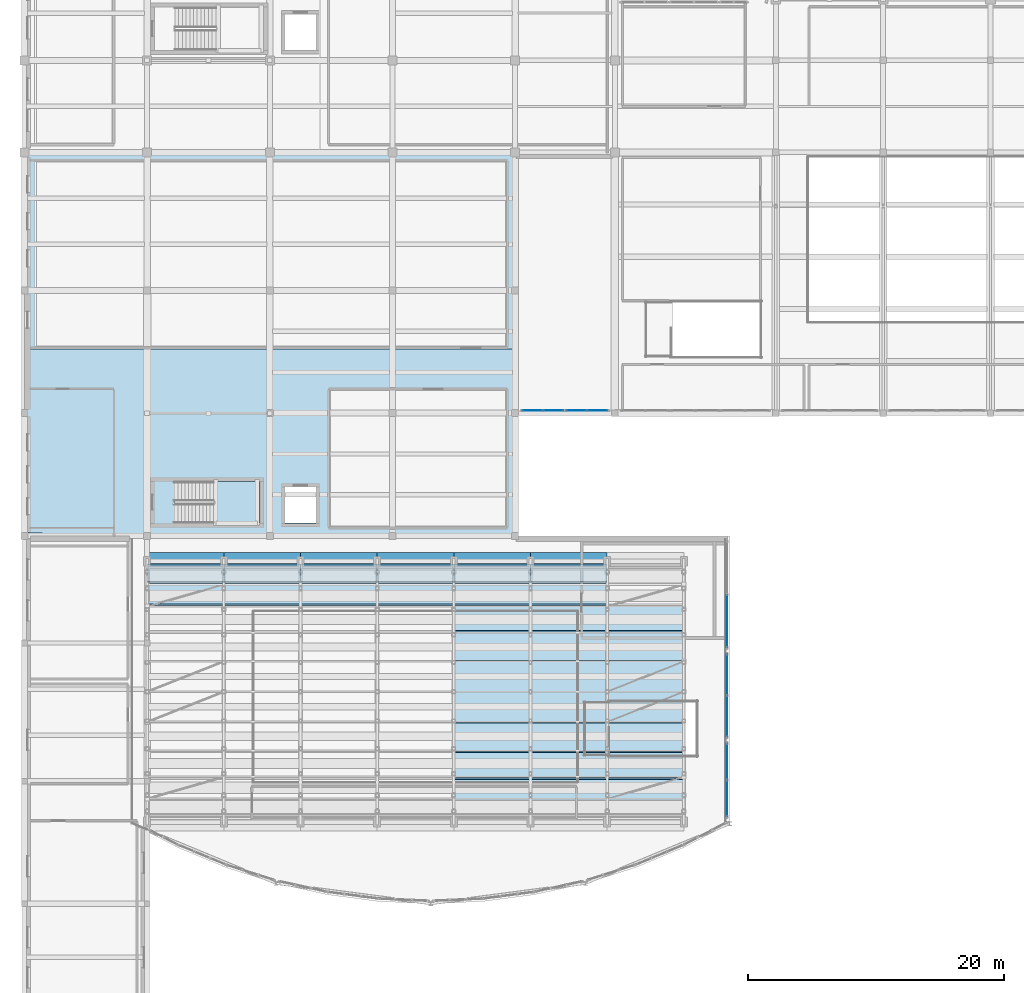
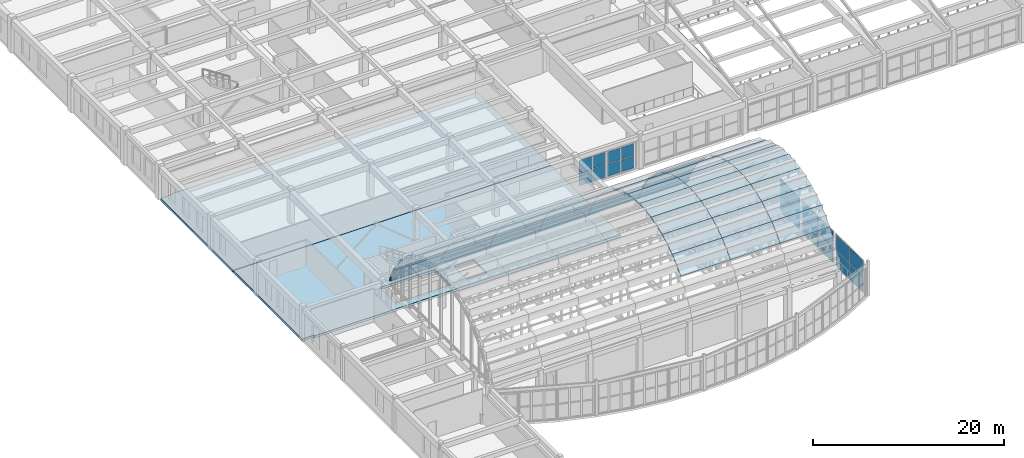
# One storey, part 58 of 91: 57 plates, 3 slabs, 6 elements without a shape of their own.
"""IFC4 building model written with IfcOpenShell, lengths in metres."""

from ifc_helpers import new_model, si_unit, direction, frame, origin, origin_2d, place, context, subcontext, project, spatial, polyline, rectangle, outline, extrude, material, layer, layer_set, type_object, element, aggregate, save


model = new_model("IFC4")

# Units and contexts
model_context = context("Model", 3, precision=1e-05, world=origin(), true_north=direction((0.0, 1.0)))
body_context = subcontext(model_context, "Body", "Model", "MODEL_VIEW")
ifc_project = project(units=[si_unit("LENGTHUNIT", "METRE"), si_unit("AREAUNIT", "SQUARE_METRE"), si_unit("VOLUMEUNIT", "CUBIC_METRE"), si_unit("PLANEANGLEUNIT", "RADIAN"), si_unit("MASSUNIT", "GRAM", prefix="KILO")], contexts=[model_context])

# Site, building, storey
site_placement = place(None, origin())
site = spatial("IfcSite", under=ifc_project, at=site_placement, CompositionType="ELEMENT")
building_placement = place(site_placement, origin())
building = spatial("IfcBuilding", under=site, at=building_placement, Name="Tarnavel Promenade Courthouse", CompositionType="ELEMENT")
storey_placement = place(building_placement, frame((0.0, 0.0, 9.89990234375)))
storey = spatial("IfcBuildingStorey", under=building, at=storey_placement, Name="L03", CompositionType="ELEMENT", Elevation=9.89990234375)

# Stair, slab
ifc_material_1 = material(Name="Concrete C35/45", Category="concrete")
stair_type = type_object("IfcStairType", Name="Concrete C35/45 Half-Turn Stair STR-14 (1520W-280G-24R)", PredefinedType="HALF_TURN_STAIR", material=ifc_material_1)
stair_placement = place(storey_placement, origin())
stair = element("IfcStair", 1, at=stair_placement, inside=storey, type_object=stair_type, Name="L03 Law Library Exit Stair", PredefinedType="HALF_TURN_STAIR")
ifc_layer_1 = layer(ifc_material_1, 0.205078125)
ifc_layer_set_1 = layer_set([ifc_layer_1], Name="Concrete C35/45")
slab_type_1 = type_object("IfcSlabType", Name="Concrete C35/45 Stair Landing SLB-LND-205 (205 mm)", PredefinedType="LANDING", material=ifc_layer_set_1)
slab_1_placement = place(storey_placement, frame((0.0, 0.0, 2.050048828125)))
slab_1 = element("IfcSlab", 2, at=slab_1_placement, type_object=slab_type_1, Name="ST-05 landing 1", PredefinedType="LANDING", context=body_context, shape_type="SweptSolid", body=[
    extrude(outline(polyline([(14.800048828125, 38.199951171875), (18.39990234375, 38.199951171875), (18.39990234375, 41.43994140625), (14.800048828125, 41.43994140625), (14.800048828125, 38.199951171875)])), origin(), (0.0, 0.0, 1.0), 0.199951171875),
])
aggregate(stair, [slab_1])

# Slabs
ifc_material_2 = material(Name="Concrete C40/50", Category="concrete")
ifc_layer_2 = layer(ifc_material_2, 0.300048828125)
ifc_layer_set_2 = layer_set([ifc_layer_2], Name="Concrete C40/50")
slab_type_2 = type_object("IfcSlabType", Name="Concrete C40/50 SLB-STK-300 (300 mm)", PredefinedType="FLOOR", material=ifc_layer_set_2)
slab_2_placement = place(storey_placement, frame((0.0, 0.0, -0.2998046875)))
element("IfcSlab", 3, at=slab_2_placement, inside=storey, type_object=slab_type_2, Name="L03 Law Library S Heavy Stack Slab", PredefinedType="FLOOR", context=body_context, shape_type="SweptSolid", body=[
    extrude(outline(polyline([(0.0, 37.39990234375), (1.39990234375, 37.39990234375), (1.39990234375, 37.239990234375), (38.3798828125, 37.239990234375), (38.3798828125, 51.800048828125), (0.0, 51.800048828125), (0.0, 37.39990234375)]), holes=[polyline([(11.764892578125, 38.199951171875), (18.39990234375, 38.199951171875), (18.39990234375, 41.43994140625), (11.764892578125, 41.43994140625), (11.764892578125, 38.199951171875)]), polyline([(20.39990234375, 38.199951171875), (22.800048828125, 38.199951171875), (22.800048828125, 41.0), (20.39990234375, 41.0), (20.39990234375, 38.199951171875)])]), origin(), (0.0, 0.0, 1.0), 0.2998046875),
])
slab_3_placement = place(storey_placement, frame((0.0, 0.0, -0.2998046875)))
element("IfcSlab", 4, at=slab_3_placement, inside=storey, type_object=slab_type_2, Name="L03 Law Library N Heavy Stack Slab", PredefinedType="FLOOR", context=body_context, shape_type="SweptSolid", body=[
    extrude(outline(polyline([(0.0, 51.840087890625), (38.3798828125, 51.840087890625), (38.3798828125, 67.179931640625), (1.39990234375, 67.179931640625), (1.39990234375, 67.02001953125), (0.0, 67.02001953125), (0.0, 51.840087890625)])), origin(), (0.0, 0.0, 1.0), 0.2998046875),
])

# Plates
ifc_material_3 = material(Name="Standing-Seam Copper Insulated Roof Assembly")
ifc_layer_3 = layer(ifc_material_3, 0.179931640625)
ifc_layer_set_3 = layer_set([ifc_layer_3], Name="Standing-Seam Copper Insulated Roof Assembly")
plate_type_1 = type_object("IfcPlateType", Name="Standing-Seam Copper Insulated Roof Assembly PLT-VLT-V4-CROWN (180 mm)", PredefinedType="SHEET", material=ifc_layer_set_3)
plate_1_placement = place(storey_placement, frame((33.60009765625, 18.131591796875, 10.72314453125), z_axis=(0.0, -0.519833470276, 0.85426761801), x_axis=(1.0, 0.0, 0.0)))
element("IfcPlate", 5, at=plate_1_placement, inside=storey, type_object=plate_type_1, Name="Barrel Vault Roof Panel V4 Bay 05 Facet 04", PredefinedType="SHEET", context=body_context, shape_type="SweptSolid", body=[
    extrude(outline(polyline([(0.0, 0.0), (6.0, 0.0), (6.0, 2.457217210970626), (0.0, 2.457217210970626), (0.0, 0.0)])), origin(), (0.0, 0.0, -1.0), 0.179931640625),
])
plate_2_placement = place(storey_placement, frame((33.60009765625, 20.230712890625, 12.00048828125), z_axis=(0.0, -0.322063013242, 0.946718234483), x_axis=(1.0, 0.0, 0.0)))
element("IfcPlate", 6, at=plate_2_placement, inside=storey, type_object=plate_type_1, Name="Barrel Vault Roof Panel V4 Bay 05 Facet 05", PredefinedType="SHEET", context=body_context, shape_type="SweptSolid", body=[
    extrude(outline(polyline([(0.0, 0.0), (6.0, 0.0), (6.0, 2.457605728405247), (0.0, 2.457605728405247), (0.0, 0.0)])), origin(), (0.0, 0.0, -1.0), 0.179931640625),
])
for number, where, z_axis, x_axis, name in (
    (7, (33.60009765625, 22.557373046875, 12.7919921875), (0.0, -0.10909015314, 0.994031859896), (1.0, 0.0, 0.0), "Barrel Vault Roof Panel V4 Bay 05 Facet 06"),
    (8, (33.60009765625, 25.0, 13.06005859375), (0.0, 0.10909015314, 0.994031859896), (1.0, 0.0, 0.0), "Barrel Vault Roof Panel V4 Bay 05 Facet 07"),
):
    element("IfcPlate", number, at=place(storey_placement, frame(where, z_axis=z_axis, x_axis=x_axis)), inside=storey, type_object=plate_type_1, Name=name, PredefinedType="SHEET", context=body_context, shape_type="SweptSolid", body=[
        extrude(outline(polyline([(0.0, 0.0), (6.0, 0.0), (6.0, 2.457292418555942), (0.0, 2.457292418555942), (0.0, 0.0)])), origin(), (0.0, 0.0, -1.0), 0.179931640625),
    ])
plate_3_placement = place(storey_placement, frame((33.60009765625, 27.442626953125, 12.7919921875), z_axis=(0.0, 0.322063013242, 0.946718234483), x_axis=(1.0, 0.0, 0.0)))
element("IfcPlate", 9, at=plate_3_placement, inside=storey, type_object=plate_type_1, Name="Barrel Vault Roof Panel V4 Bay 05 Facet 08", PredefinedType="SHEET", context=body_context, shape_type="SweptSolid", body=[
    extrude(outline(polyline([(0.0, 0.0), (6.0, 0.0), (6.0, 2.457605728405247), (0.0, 2.457605728405247), (0.0, 0.0)])), origin(), (0.0, 0.0, -1.0), 0.179931640625),
])
for number, where, z_axis, x_axis, name in (
    (10, (33.60009765625, 29.769287109375, 12.00048828125), (0.0, 0.519833470276, 0.85426761801), (1.0, 0.0, 0.0), "Barrel Vault Roof Panel V4 Bay 05 Facet 09"),
    (11, (39.60009765625, 18.131591796875, 10.72314453125), (0.0, -0.519833470276, 0.85426761801), (1.0, 0.0, 0.0), "Barrel Vault Roof Panel V4 Bay 06 Facet 04"),
):
    element("IfcPlate", number, at=place(storey_placement, frame(where, z_axis=z_axis, x_axis=x_axis)), inside=storey, type_object=plate_type_1, Name=name, PredefinedType="SHEET", context=body_context, shape_type="SweptSolid", body=[
        extrude(outline(polyline([(0.0, 0.0), (6.0, 0.0), (6.0, 2.457217210970626), (0.0, 2.457217210970626), (0.0, 0.0)])), origin(), (0.0, 0.0, -1.0), 0.179931640625),
    ])
plate_4_placement = place(storey_placement, frame((39.60009765625, 20.230712890625, 12.00048828125), z_axis=(0.0, -0.322063013242, 0.946718234483), x_axis=(1.0, 0.0, 0.0)))
element("IfcPlate", 12, at=plate_4_placement, inside=storey, type_object=plate_type_1, Name="Barrel Vault Roof Panel V4 Bay 06 Facet 05", PredefinedType="SHEET", context=body_context, shape_type="SweptSolid", body=[
    extrude(outline(polyline([(0.0, 0.0), (6.0, 0.0), (6.0, 2.457605728405247), (0.0, 2.457605728405247), (0.0, 0.0)])), origin(), (0.0, 0.0, -1.0), 0.179931640625),
])
for number, where, z_axis, x_axis, name in (
    (13, (39.60009765625, 22.557373046875, 12.7919921875), (0.0, -0.10909015314, 0.994031859896), (1.0, 0.0, 0.0), "Barrel Vault Roof Panel V4 Bay 06 Facet 06"),
    (14, (39.60009765625, 25.0, 13.06005859375), (0.0, 0.10909015314, 0.994031859896), (1.0, 0.0, 0.0), "Barrel Vault Roof Panel V4 Bay 06 Facet 07"),
):
    element("IfcPlate", number, at=place(storey_placement, frame(where, z_axis=z_axis, x_axis=x_axis)), inside=storey, type_object=plate_type_1, Name=name, PredefinedType="SHEET", context=body_context, shape_type="SweptSolid", body=[
        extrude(outline(polyline([(0.0, 0.0), (6.0, 0.0), (6.0, 2.457292418555942), (0.0, 2.457292418555942), (0.0, 0.0)])), origin(), (0.0, 0.0, -1.0), 0.179931640625),
    ])
plate_5_placement = place(storey_placement, frame((39.60009765625, 27.442626953125, 12.7919921875), z_axis=(0.0, 0.322063013242, 0.946718234483), x_axis=(1.0, 0.0, 0.0)))
element("IfcPlate", 15, at=plate_5_placement, inside=storey, type_object=plate_type_1, Name="Barrel Vault Roof Panel V4 Bay 06 Facet 08", PredefinedType="SHEET", context=body_context, shape_type="SweptSolid", body=[
    extrude(outline(polyline([(0.0, 0.0), (6.0, 0.0), (6.0, 2.457605728405247), (0.0, 2.457605728405247), (0.0, 0.0)])), origin(), (0.0, 0.0, -1.0), 0.179931640625),
])
for number, where, z_axis, x_axis, name in (
    (16, (39.60009765625, 29.769287109375, 12.00048828125), (0.0, 0.519833470276, 0.85426761801), (1.0, 0.0, 0.0), "Barrel Vault Roof Panel V4 Bay 06 Facet 09"),
    (17, (45.60009765625, 18.131591796875, 10.72314453125), (0.0, -0.519833470276, 0.85426761801), (1.0, 0.0, 0.0), "Barrel Vault Roof Panel V4 Bay 07 Facet 04"),
):
    element("IfcPlate", number, at=place(storey_placement, frame(where, z_axis=z_axis, x_axis=x_axis)), inside=storey, type_object=plate_type_1, Name=name, PredefinedType="SHEET", context=body_context, shape_type="SweptSolid", body=[
        extrude(outline(polyline([(0.0, 0.0), (6.0, 0.0), (6.0, 2.457217210970626), (0.0, 2.457217210970626), (0.0, 0.0)])), origin(), (0.0, 0.0, -1.0), 0.179931640625),
    ])
plate_6_placement = place(storey_placement, frame((45.60009765625, 20.230712890625, 12.00048828125), z_axis=(0.0, -0.322063013242, 0.946718234483), x_axis=(1.0, 0.0, 0.0)))
element("IfcPlate", 18, at=plate_6_placement, inside=storey, type_object=plate_type_1, Name="Barrel Vault Roof Panel V4 Bay 07 Facet 05", PredefinedType="SHEET", context=body_context, shape_type="SweptSolid", body=[
    extrude(outline(polyline([(0.0, 0.0), (6.0, 0.0), (6.0, 2.457605728405247), (0.0, 2.457605728405247), (0.0, 0.0)])), origin(), (0.0, 0.0, -1.0), 0.179931640625),
])
for number, where, z_axis, x_axis, name in (
    (19, (45.60009765625, 22.557373046875, 12.7919921875), (0.0, -0.10909015314, 0.994031859896), (1.0, 0.0, 0.0), "Barrel Vault Roof Panel V4 Bay 07 Facet 06"),
    (20, (45.60009765625, 25.0, 13.06005859375), (0.0, 0.10909015314, 0.994031859896), (1.0, 0.0, 0.0), "Barrel Vault Roof Panel V4 Bay 07 Facet 07"),
):
    element("IfcPlate", number, at=place(storey_placement, frame(where, z_axis=z_axis, x_axis=x_axis)), inside=storey, type_object=plate_type_1, Name=name, PredefinedType="SHEET", context=body_context, shape_type="SweptSolid", body=[
        extrude(outline(polyline([(0.0, 0.0), (6.0, 0.0), (6.0, 2.457292418555942), (0.0, 2.457292418555942), (0.0, 0.0)])), origin(), (0.0, 0.0, -1.0), 0.179931640625),
    ])
plate_7_placement = place(storey_placement, frame((45.60009765625, 27.442626953125, 12.7919921875), z_axis=(0.0, 0.322063013242, 0.946718234483), x_axis=(1.0, 0.0, 0.0)))
element("IfcPlate", 21, at=plate_7_placement, inside=storey, type_object=plate_type_1, Name="Barrel Vault Roof Panel V4 Bay 07 Facet 08", PredefinedType="SHEET", context=body_context, shape_type="SweptSolid", body=[
    extrude(outline(polyline([(0.0, 0.0), (6.0, 0.0), (6.0, 2.457605728405247), (0.0, 2.457605728405247), (0.0, 0.0)])), origin(), (0.0, 0.0, -1.0), 0.179931640625),
])
plate_8_placement = place(storey_placement, frame((45.60009765625, 29.769287109375, 12.00048828125), z_axis=(0.0, 0.519833470276, 0.85426761801), x_axis=(1.0, 0.0, 0.0)))
element("IfcPlate", 22, at=plate_8_placement, inside=storey, type_object=plate_type_1, Name="Barrel Vault Roof Panel V4 Bay 07 Facet 09", PredefinedType="SHEET", context=body_context, shape_type="SweptSolid", body=[
    extrude(outline(polyline([(0.0, 0.0), (6.0, 0.0), (6.0, 2.457217210970626), (0.0, 2.457217210970626), (0.0, 0.0)])), origin(), (0.0, 0.0, -1.0), 0.179931640625),
])
ifc_layer_4 = layer(ifc_material_3, 0.175048828125)
ifc_layer_set_4 = layer_set([ifc_layer_4], Name="Standing-Seam Copper Insulated Roof Assembly")
plate_type_2 = type_object("IfcPlateType", Name="Standing-Seam Copper Insulated Roof Assembly PLT-VLT-V4-LOW (175 mm)", PredefinedType="SHEET", material=ifc_layer_set_4)
plate_9_placement = place(storey_placement, frame((9.60009765625, 31.868408203125, 10.72314453125), z_axis=(0.0, 0.692707578218, 0.721218559855), x_axis=(1.0, 0.0, 0.0)))
element("IfcPlate", 23, at=plate_9_placement, inside=storey, type_object=plate_type_2, Name="Barrel Vault Roof Panel V4 Bay 01 Facet 10", PredefinedType="SHEET", context=body_context, shape_type="SweptSolid", body=[
    extrude(outline(polyline([(0.0, 0.0), (6.0, 0.0), (6.0, 2.4575919647123), (0.0, 2.4575919647123), (0.0, 0.0)])), origin(), (0.0, 0.0, -1.0), 0.175048828125),
])
plate_10_placement = place(storey_placement, frame((9.60009765625, 33.640869140625, 9.020751953125), z_axis=(0.0, 0.83266118003, 0.553782772639), x_axis=(1.0, 0.0, 0.0)))
element("IfcPlate", 24, at=plate_10_placement, inside=storey, type_object=plate_type_2, Name="Barrel Vault Roof Panel V4 Bay 01 Facet 11", PredefinedType="SHEET", context=body_context, shape_type="SweptSolid", body=[
    extrude(outline(polyline([(0.0, 0.0), (6.0, 0.0), (6.0, 2.457353155399839), (0.0, 2.457353155399839), (0.0, 0.0)])), origin(), (0.0, 0.0, -1.0), 0.175048828125),
])
plate_11_placement = place(storey_placement, frame((9.60009765625, 35.001708984375, 6.974609375), z_axis=(0.0, 0.906108548718, 0.423045267011), x_axis=(1.0, 0.0, 0.0)))
element("IfcPlate", 25, at=plate_11_placement, inside=storey, type_object=plate_type_2, Name="Barrel Vault Roof Panel V4 Bay 01 Facet 12", PredefinedType="SHEET", context=body_context, shape_type="SweptSolid", body=[
    extrude(outline(polyline([(0.0, 0.0), (6.0, 0.0), (6.0, 2.0908435889725268), (0.0, 2.0908435889725268), (0.0, 0.0)])), origin(), (0.0, 0.0, -1.0), 0.175048828125),
])
plate_12_placement = place(storey_placement, frame((15.60009765625, 31.868408203125, 10.72314453125), z_axis=(0.0, 0.692707578218, 0.721218559855), x_axis=(1.0, 0.0, 0.0)))
element("IfcPlate", 26, at=plate_12_placement, inside=storey, type_object=plate_type_2, Name="Barrel Vault Roof Panel V4 Bay 02 Facet 10", PredefinedType="SHEET", context=body_context, shape_type="SweptSolid", body=[
    extrude(outline(polyline([(0.0, 0.0), (6.0, 0.0), (6.0, 2.4575919647123), (0.0, 2.4575919647123), (0.0, 0.0)])), origin(), (0.0, 0.0, -1.0), 0.175048828125),
])
plate_13_placement = place(storey_placement, frame((15.60009765625, 33.640869140625, 9.020751953125), z_axis=(0.0, 0.83266118003, 0.553782772639), x_axis=(1.0, 0.0, 0.0)))
element("IfcPlate", 27, at=plate_13_placement, inside=storey, type_object=plate_type_2, Name="Barrel Vault Roof Panel V4 Bay 02 Facet 11", PredefinedType="SHEET", context=body_context, shape_type="SweptSolid", body=[
    extrude(outline(polyline([(0.0, 0.0), (6.0, 0.0), (6.0, 2.457353155399839), (0.0, 2.457353155399839), (0.0, 0.0)])), origin(), (0.0, 0.0, -1.0), 0.175048828125),
])
plate_14_placement = place(storey_placement, frame((15.60009765625, 35.001708984375, 6.974609375), z_axis=(0.0, 0.906108548718, 0.423045267011), x_axis=(1.0, 0.0, 0.0)))
element("IfcPlate", 28, at=plate_14_placement, inside=storey, type_object=plate_type_2, Name="Barrel Vault Roof Panel V4 Bay 02 Facet 12", PredefinedType="SHEET", context=body_context, shape_type="SweptSolid", body=[
    extrude(outline(polyline([(0.0, 0.0), (6.0, 0.0), (6.0, 2.0908435889725268), (0.0, 2.0908435889725268), (0.0, 0.0)])), origin(), (0.0, 0.0, -1.0), 0.175048828125),
])
plate_15_placement = place(storey_placement, frame((21.60009765625, 31.868408203125, 10.72314453125), z_axis=(0.0, 0.692707578218, 0.721218559855), x_axis=(1.0, 0.0, 0.0)))
element("IfcPlate", 29, at=plate_15_placement, inside=storey, type_object=plate_type_2, Name="Barrel Vault Roof Panel V4 Bay 03 Facet 10", PredefinedType="SHEET", context=body_context, shape_type="SweptSolid", body=[
    extrude(outline(polyline([(0.0, 0.0), (6.0, 0.0), (6.0, 2.4575919647123), (0.0, 2.4575919647123), (0.0, 0.0)])), origin(), (0.0, 0.0, -1.0), 0.175048828125),
])
plate_16_placement = place(storey_placement, frame((21.60009765625, 33.640869140625, 9.020751953125), z_axis=(0.0, 0.83266118003, 0.553782772639), x_axis=(1.0, 0.0, 0.0)))
element("IfcPlate", 30, at=plate_16_placement, inside=storey, type_object=plate_type_2, Name="Barrel Vault Roof Panel V4 Bay 03 Facet 11", PredefinedType="SHEET", context=body_context, shape_type="SweptSolid", body=[
    extrude(outline(polyline([(0.0, 0.0), (6.0, 0.0), (6.0, 2.457353155399839), (0.0, 2.457353155399839), (0.0, 0.0)])), origin(), (0.0, 0.0, -1.0), 0.175048828125),
])
plate_17_placement = place(storey_placement, frame((21.60009765625, 35.001708984375, 6.974609375), z_axis=(0.0, 0.906108548718, 0.423045267011), x_axis=(1.0, 0.0, 0.0)))
element("IfcPlate", 31, at=plate_17_placement, inside=storey, type_object=plate_type_2, Name="Barrel Vault Roof Panel V4 Bay 03 Facet 12", PredefinedType="SHEET", context=body_context, shape_type="SweptSolid", body=[
    extrude(outline(polyline([(0.0, 0.0), (6.0, 0.0), (6.0, 2.0908435889725268), (0.0, 2.0908435889725268), (0.0, 0.0)])), origin(), (0.0, 0.0, -1.0), 0.175048828125),
])
plate_18_placement = place(storey_placement, frame((27.60009765625, 31.868408203125, 10.72314453125), z_axis=(0.0, 0.692707578218, 0.721218559855), x_axis=(1.0, 0.0, 0.0)))
element("IfcPlate", 32, at=plate_18_placement, inside=storey, type_object=plate_type_2, Name="Barrel Vault Roof Panel V4 Bay 04 Facet 10", PredefinedType="SHEET", context=body_context, shape_type="SweptSolid", body=[
    extrude(outline(polyline([(0.0, 0.0), (6.0, 0.0), (6.0, 2.4575919647123), (0.0, 2.4575919647123), (0.0, 0.0)])), origin(), (0.0, 0.0, -1.0), 0.175048828125),
])
plate_19_placement = place(storey_placement, frame((27.60009765625, 33.640869140625, 9.020751953125), z_axis=(0.0, 0.83266118003, 0.553782772639), x_axis=(1.0, 0.0, 0.0)))
element("IfcPlate", 33, at=plate_19_placement, inside=storey, type_object=plate_type_2, Name="Barrel Vault Roof Panel V4 Bay 04 Facet 11", PredefinedType="SHEET", context=body_context, shape_type="SweptSolid", body=[
    extrude(outline(polyline([(0.0, 0.0), (6.0, 0.0), (6.0, 2.457353155399839), (0.0, 2.457353155399839), (0.0, 0.0)])), origin(), (0.0, 0.0, -1.0), 0.175048828125),
])
plate_20_placement = place(storey_placement, frame((27.60009765625, 35.001708984375, 6.974609375), z_axis=(0.0, 0.906108548718, 0.423045267011), x_axis=(1.0, 0.0, 0.0)))
element("IfcPlate", 34, at=plate_20_placement, inside=storey, type_object=plate_type_2, Name="Barrel Vault Roof Panel V4 Bay 04 Facet 12", PredefinedType="SHEET", context=body_context, shape_type="SweptSolid", body=[
    extrude(outline(polyline([(0.0, 0.0), (6.0, 0.0), (6.0, 2.0908435889725268), (0.0, 2.0908435889725268), (0.0, 0.0)])), origin(), (0.0, 0.0, -1.0), 0.175048828125),
])
for number, where, z_axis, x_axis, name in (
    (35, (33.60009765625, 16.359130859375, 9.020751953125), (0.0, -0.692707578218, 0.721218559855), (1.0, 0.0, 0.0), "Barrel Vault Roof Panel V4 Bay 05 Facet 03"),
    (36, (33.60009765625, 31.868408203125, 10.72314453125), (0.0, 0.692707578218, 0.721218559855), (1.0, 0.0, 0.0), "Barrel Vault Roof Panel V4 Bay 05 Facet 10"),
):
    element("IfcPlate", number, at=place(storey_placement, frame(where, z_axis=z_axis, x_axis=x_axis)), inside=storey, type_object=plate_type_2, Name=name, PredefinedType="SHEET", context=body_context, shape_type="SweptSolid", body=[
        extrude(outline(polyline([(0.0, 0.0), (6.0, 0.0), (6.0, 2.4575919647123), (0.0, 2.4575919647123), (0.0, 0.0)])), origin(), (0.0, 0.0, -1.0), 0.175048828125),
    ])
plate_21_placement = place(storey_placement, frame((33.60009765625, 33.640869140625, 9.020751953125), z_axis=(0.0, 0.83266118003, 0.553782772639), x_axis=(1.0, 0.0, 0.0)))
element("IfcPlate", 37, at=plate_21_placement, inside=storey, type_object=plate_type_2, Name="Barrel Vault Roof Panel V4 Bay 05 Facet 11", PredefinedType="SHEET", context=body_context, shape_type="SweptSolid", body=[
    extrude(outline(polyline([(0.0, 0.0), (6.0, 0.0), (6.0, 2.457353155399839), (0.0, 2.457353155399839), (0.0, 0.0)])), origin(), (0.0, 0.0, -1.0), 0.175048828125),
])
plate_22_placement = place(storey_placement, frame((33.60009765625, 35.001708984375, 6.974609375), z_axis=(0.0, 0.906108548718, 0.423045267011), x_axis=(1.0, 0.0, 0.0)))
element("IfcPlate", 38, at=plate_22_placement, inside=storey, type_object=plate_type_2, Name="Barrel Vault Roof Panel V4 Bay 05 Facet 12", PredefinedType="SHEET", context=body_context, shape_type="SweptSolid", body=[
    extrude(outline(polyline([(0.0, 0.0), (6.0, 0.0), (6.0, 2.0908435889725268), (0.0, 2.0908435889725268), (0.0, 0.0)])), origin(), (0.0, 0.0, -1.0), 0.175048828125),
])
for number, where, z_axis, x_axis, name in (
    (39, (39.60009765625, 16.359130859375, 9.020751953125), (0.0, -0.692707578218, 0.721218559855), (1.0, 0.0, 0.0), "Barrel Vault Roof Panel V4 Bay 06 Facet 03"),
    (40, (39.60009765625, 31.868408203125, 10.72314453125), (0.0, 0.692707578218, 0.721218559855), (1.0, 0.0, 0.0), "Barrel Vault Roof Panel V4 Bay 06 Facet 10"),
):
    element("IfcPlate", number, at=place(storey_placement, frame(where, z_axis=z_axis, x_axis=x_axis)), inside=storey, type_object=plate_type_2, Name=name, PredefinedType="SHEET", context=body_context, shape_type="SweptSolid", body=[
        extrude(outline(polyline([(0.0, 0.0), (6.0, 0.0), (6.0, 2.4575919647123), (0.0, 2.4575919647123), (0.0, 0.0)])), origin(), (0.0, 0.0, -1.0), 0.175048828125),
    ])
plate_23_placement = place(storey_placement, frame((39.60009765625, 33.640869140625, 9.020751953125), z_axis=(0.0, 0.83266118003, 0.553782772639), x_axis=(1.0, 0.0, 0.0)))
element("IfcPlate", 41, at=plate_23_placement, inside=storey, type_object=plate_type_2, Name="Barrel Vault Roof Panel V4 Bay 06 Facet 11", PredefinedType="SHEET", context=body_context, shape_type="SweptSolid", body=[
    extrude(outline(polyline([(0.0, 0.0), (6.0, 0.0), (6.0, 2.457353155399839), (0.0, 2.457353155399839), (0.0, 0.0)])), origin(), (0.0, 0.0, -1.0), 0.175048828125),
])
plate_24_placement = place(storey_placement, frame((39.60009765625, 35.001708984375, 6.974609375), z_axis=(0.0, 0.906108548718, 0.423045267011), x_axis=(1.0, 0.0, 0.0)))
element("IfcPlate", 42, at=plate_24_placement, inside=storey, type_object=plate_type_2, Name="Barrel Vault Roof Panel V4 Bay 06 Facet 12", PredefinedType="SHEET", context=body_context, shape_type="SweptSolid", body=[
    extrude(outline(polyline([(0.0, 0.0), (6.0, 0.0), (6.0, 2.0908435889725268), (0.0, 2.0908435889725268), (0.0, 0.0)])), origin(), (0.0, 0.0, -1.0), 0.175048828125),
])
plate_25_placement = place(storey_placement, frame((45.60009765625, 16.359130859375, 9.020751953125), z_axis=(0.0, -0.692707578218, 0.721218559855), x_axis=(1.0, 0.0, 0.0)))
element("IfcPlate", 43, at=plate_25_placement, inside=storey, type_object=plate_type_2, Name="Barrel Vault Roof Panel V4 Bay 07 Facet 03", PredefinedType="SHEET", context=body_context, shape_type="SweptSolid", body=[
    extrude(outline(polyline([(0.0, 0.0), (6.0, 0.0), (6.0, 2.4575919647123), (0.0, 2.4575919647123), (0.0, 0.0)])), origin(), (0.0, 0.0, -1.0), 0.175048828125),
])

# Curtain wall, plates
ifc_material_4 = material(Name="Thermally Broken Anodised Aluminium Curtain Wall System", Category="aluminium")
ifc_layer_5 = layer(ifc_material_4, 0.219970703125)
ifc_layer_set_5 = layer_set([ifc_layer_5], Name="Thermally Broken Anodised Aluminium Curtain Wall System")
curtain_wall_type_1 = type_object("IfcCurtainWallType", Name="Thermally Broken Aluminium Triple-Glazed Curtain Wall CW-DRUM", PredefinedType="NOTDEFINED", material=ifc_layer_set_5)
curtain_wall_1_placement = place(storey_placement, origin())
curtain_wall_1 = element("IfcCurtainWall", 44, at=curtain_wall_1_placement, inside=storey, type_object=curtain_wall_type_1, Name="L03 Public Drum East Return Curtain Wall 039", PredefinedType="NOTDEFINED")
ifc_material_5 = material(Name="Triple Low-E Argon Insulated Glazing", Category="glass")
ifc_layer_6 = layer(ifc_material_5, 0.048095703125)
ifc_layer_set_6 = layer_set([ifc_layer_6], Name="Triple Low-E Argon Insulated Glazing")
plate_type_3 = type_object("IfcPlateType", Name="Triple Low-E Argon Insulated Glazing Unit CWP-48 (48 mm)", PredefinedType="CURTAIN_PANEL", material=ifc_layer_set_6)
plate_26_placement = place(storey_placement, frame((54.97998046875, 16.64990234375, 0.080078125), z_axis=(0.0, 0.0, 1.0), x_axis=(0.0, 1.0, 0.0)))
plate_26 = element("IfcPlate", 45, at=plate_26_placement, type_object=plate_type_3, Name="CW-01 panel 1.1", PredefinedType="CURTAIN_PANEL", context=body_context, shape_type="SweptSolid", body=[
    extrude(rectangle(XDim=2.780029296875, YDim=0.048095703125, at=origin_2d()), origin(), (0.0, 0.0, 1.0), 1.989990234375),
])
plate_27_placement = place(storey_placement, frame((54.97998046875, 16.64990234375, 2.14990234375), z_axis=(0.0, 0.0, 1.0), x_axis=(0.0, 1.0, 0.0)))
plate_27 = element("IfcPlate", 46, at=plate_27_placement, type_object=plate_type_3, Name="CW-01 panel 1.2", PredefinedType="CURTAIN_PANEL", context=body_context, shape_type="SweptSolid", body=[
    extrude(rectangle(XDim=2.780029296875, YDim=0.048095703125, at=origin_2d()), origin(), (0.0, 0.0, 1.0), 1.989990234375),
])
plate_28_placement = place(storey_placement, frame((54.97998046875, 19.52001953125, 0.080078125), z_axis=(0.0, 0.0, 1.0), x_axis=(0.0, 1.0, 0.0)))
plate_28 = element("IfcPlate", 47, at=plate_28_placement, type_object=plate_type_3, Name="CW-01 panel 2.1", PredefinedType="CURTAIN_PANEL", context=body_context, shape_type="SweptSolid", body=[
    extrude(rectangle(XDim=2.780029296875, YDim=0.048095703125, at=origin_2d()), origin(), (0.0, 0.0, 1.0), 1.989990234375),
])
plate_29_placement = place(storey_placement, frame((54.97998046875, 19.52001953125, 2.14990234375), z_axis=(0.0, 0.0, 1.0), x_axis=(0.0, 1.0, 0.0)))
plate_29 = element("IfcPlate", 48, at=plate_29_placement, type_object=plate_type_3, Name="CW-01 panel 2.2", PredefinedType="CURTAIN_PANEL", context=body_context, shape_type="SweptSolid", body=[
    extrude(rectangle(XDim=2.780029296875, YDim=0.048095703125, at=origin_2d()), origin(), (0.0, 0.0, 1.0), 1.989990234375),
])
aggregate(curtain_wall_1, [plate_26, plate_27, plate_28, plate_29])

curtain_wall_2_placement = place(storey_placement, origin())
curtain_wall_2 = element("IfcCurtainWall", 49, at=curtain_wall_2_placement, inside=storey, type_object=curtain_wall_type_1, Name="L03 Public Drum East Return Curtain Wall 040", PredefinedType="NOTDEFINED")
plate_30_placement = place(storey_placement, frame((54.97998046875, 23.072509765625, 0.080078125), z_axis=(0.0, 0.0, 1.0), x_axis=(0.0, 1.0, 0.0)))
plate_30 = element("IfcPlate", 50, at=plate_30_placement, type_object=plate_type_3, Name="CW-01 panel 1.1", PredefinedType="CURTAIN_PANEL", context=body_context, shape_type="SweptSolid", body=[
    extrude(rectangle(XDim=3.1650390625, YDim=0.048095703125, at=origin_2d()), origin(), (0.0, 0.0, 1.0), 1.989990234375),
])
plate_31_placement = place(storey_placement, frame((54.97998046875, 23.072509765625, 2.14990234375), z_axis=(0.0, 0.0, 1.0), x_axis=(0.0, 1.0, 0.0)))
plate_31 = element("IfcPlate", 51, at=plate_31_placement, type_object=plate_type_3, Name="CW-01 panel 1.2", PredefinedType="CURTAIN_PANEL", context=body_context, shape_type="SweptSolid", body=[
    extrude(rectangle(XDim=3.1650390625, YDim=0.048095703125, at=origin_2d()), origin(), (0.0, 0.0, 1.0), 1.989990234375),
])
plate_32_placement = place(storey_placement, frame((54.97998046875, 26.327392578125, 0.080078125), z_axis=(0.0, 0.0, 1.0), x_axis=(0.0, 1.0, 0.0)))
plate_32 = element("IfcPlate", 52, at=plate_32_placement, type_object=plate_type_3, Name="CW-01 panel 2.1", PredefinedType="CURTAIN_PANEL", context=body_context, shape_type="SweptSolid", body=[
    extrude(rectangle(XDim=3.1650390625, YDim=0.048095703125, at=origin_2d()), origin(), (0.0, 0.0, 1.0), 1.989990234375),
])
plate_33_placement = place(storey_placement, frame((54.97998046875, 26.327392578125, 2.14990234375), z_axis=(0.0, 0.0, 1.0), x_axis=(0.0, 1.0, 0.0)))
plate_33 = element("IfcPlate", 53, at=plate_33_placement, type_object=plate_type_3, Name="CW-01 panel 2.2", PredefinedType="CURTAIN_PANEL", context=body_context, shape_type="SweptSolid", body=[
    extrude(rectangle(XDim=3.1650390625, YDim=0.048095703125, at=origin_2d()), origin(), (0.0, 0.0, 1.0), 1.989990234375),
])
aggregate(curtain_wall_2, [plate_30, plate_31, plate_32, plate_33])

curtain_wall_3_placement = place(storey_placement, origin())
curtain_wall_3 = element("IfcCurtainWall", 54, at=curtain_wall_3_placement, inside=storey, type_object=curtain_wall_type_1, Name="L03 Public Drum East Return Curtain Wall 041", PredefinedType="NOTDEFINED")
plate_34_placement = place(storey_placement, frame((54.97998046875, 30.5224609375, 0.080078125), z_axis=(0.0, 0.0, 1.0), x_axis=(0.0, 1.0, 0.0)))
plate_34 = element("IfcPlate", 55, at=plate_34_placement, type_object=plate_type_3, Name="CW-01 panel 1.1", PredefinedType="CURTAIN_PANEL", context=body_context, shape_type="SweptSolid", body=[
    extrude(rectangle(XDim=4.06494140625, YDim=0.048095703125, at=origin_2d()), origin(), (0.0, 0.0, 1.0), 1.989990234375),
])
plate_35_placement = place(storey_placement, frame((54.97998046875, 30.5224609375, 2.14990234375), z_axis=(0.0, 0.0, 1.0), x_axis=(0.0, 1.0, 0.0)))
plate_35 = element("IfcPlate", 56, at=plate_35_placement, type_object=plate_type_3, Name="CW-01 panel 1.2", PredefinedType="CURTAIN_PANEL", context=body_context, shape_type="SweptSolid", body=[
    extrude(rectangle(XDim=4.06494140625, YDim=0.048095703125, at=origin_2d()), origin(), (0.0, 0.0, 1.0), 1.989990234375),
])
aggregate(curtain_wall_3, [plate_34, plate_35])

ifc_layer_7 = layer(ifc_material_4, 0.239990234375)
ifc_layer_set_7 = layer_set([ifc_layer_7], Name="Thermally Broken Anodised Aluminium Curtain Wall System")
curtain_wall_type_2 = type_object("IfcCurtainWallType", Name="Thermally Broken Aluminium Triple-Glazed Curtain Wall CW-WG-S", PredefinedType="NOTDEFINED", material=ifc_layer_set_7)
curtain_wall_4_placement = place(storey_placement, origin())
curtain_wall_4 = element("IfcCurtainWall", 57, at=curtain_wall_4_placement, inside=storey, type_object=curtain_wall_type_2, Name="L03 Winter-Garden South Solar Curtain Wall 082", PredefinedType="NOTDEFINED")
ifc_layer_8 = layer(ifc_material_5, 0.053955078125)
ifc_layer_set_8 = layer_set([ifc_layer_8], Name="Triple Low-E Argon Insulated Glazing")
plate_type_4 = type_object("IfcPlateType", Name="Triple Low-E Argon Insulated Glazing Unit CWP-54 (54 mm)", PredefinedType="CURTAIN_PANEL", material=ifc_layer_set_8)
plate_36_placement = place(storey_placement, frame((39.7548828125, 47.0, 0.080078125), z_axis=(0.0, 0.0, 1.0), x_axis=(1.0, 0.0, 0.0)))
plate_36 = element("IfcPlate", 58, at=plate_36_placement, type_object=plate_type_4, Name="CW-02 panel 1.1", PredefinedType="CURTAIN_PANEL", context=body_context, shape_type="SweptSolid", body=[
    extrude(rectangle(XDim=1.550048828125, YDim=0.053955078125, at=origin_2d()), origin(), (0.0, 0.0, 1.0), 1.570068359375),
])
plate_37_placement = place(storey_placement, frame((39.7548828125, 47.0, 1.72998046875), z_axis=(0.0, 0.0, 1.0), x_axis=(1.0, 0.0, 0.0)))
plate_37 = element("IfcPlate", 59, at=plate_37_placement, type_object=plate_type_4, Name="CW-02 panel 1.2", PredefinedType="CURTAIN_PANEL", context=body_context, shape_type="SweptSolid", body=[
    extrude(rectangle(XDim=1.550048828125, YDim=0.053955078125, at=origin_2d()), origin(), (0.0, 0.0, 1.0), 1.570068359375),
])
plate_38_placement = place(storey_placement, frame((41.39501953125, 47.0, 0.080078125), z_axis=(0.0, 0.0, 1.0), x_axis=(1.0, 0.0, 0.0)))
plate_38 = element("IfcPlate", 60, at=plate_38_placement, type_object=plate_type_4, Name="CW-02 panel 2.1", PredefinedType="CURTAIN_PANEL", context=body_context, shape_type="SweptSolid", body=[
    extrude(rectangle(XDim=1.550048828125, YDim=0.053955078125, at=origin_2d()), origin(), (0.0, 0.0, 1.0), 1.570068359375),
])
plate_39_placement = place(storey_placement, frame((41.39501953125, 47.0, 1.72998046875), z_axis=(0.0, 0.0, 1.0), x_axis=(1.0, 0.0, 0.0)))
plate_39 = element("IfcPlate", 61, at=plate_39_placement, type_object=plate_type_4, Name="CW-02 panel 2.2", PredefinedType="CURTAIN_PANEL", context=body_context, shape_type="SweptSolid", body=[
    extrude(rectangle(XDim=1.550048828125, YDim=0.053955078125, at=origin_2d()), origin(), (0.0, 0.0, 1.0), 1.570068359375),
])
aggregate(curtain_wall_4, [plate_36, plate_37, plate_38, plate_39])

curtain_wall_5_placement = place(storey_placement, origin())
curtain_wall_5 = element("IfcCurtainWall", 62, at=curtain_wall_5_placement, inside=storey, type_object=curtain_wall_type_2, Name="L03 Winter-Garden South Solar Curtain Wall 083", PredefinedType="NOTDEFINED")
plate_40_placement = place(storey_placement, frame((43.205078125, 47.0, 0.080078125), z_axis=(0.0, 0.0, 1.0), x_axis=(1.0, 0.0, 0.0)))
plate_40 = element("IfcPlate", 63, at=plate_40_placement, type_object=plate_type_4, Name="CW-02 panel 1.1", PredefinedType="CURTAIN_PANEL", context=body_context, shape_type="SweptSolid", body=[
    extrude(rectangle(XDim=1.550048828125, YDim=0.053955078125, at=origin_2d()), origin(), (0.0, 0.0, 1.0), 1.52001953125),
])
plate_41_placement = place(storey_placement, frame((43.205078125, 47.0, 1.68017578125), z_axis=(0.0, 0.0, 1.0), x_axis=(1.0, 0.0, 0.0)))
plate_41 = element("IfcPlate", 64, at=plate_41_placement, type_object=plate_type_4, Name="CW-02 panel 1.2", PredefinedType="CURTAIN_PANEL", context=body_context, shape_type="SweptSolid", body=[
    extrude(rectangle(XDim=1.550048828125, YDim=0.053955078125, at=origin_2d()), origin(), (0.0, 0.0, 1.0), 1.52001953125),
])
plate_42_placement = place(storey_placement, frame((44.844970703125, 47.0, 0.080078125), z_axis=(0.0, 0.0, 1.0), x_axis=(1.0, 0.0, 0.0)))
plate_42 = element("IfcPlate", 65, at=plate_42_placement, type_object=plate_type_4, Name="CW-02 panel 2.1", PredefinedType="CURTAIN_PANEL", context=body_context, shape_type="SweptSolid", body=[
    extrude(rectangle(XDim=1.550048828125, YDim=0.053955078125, at=origin_2d()), origin(), (0.0, 0.0, 1.0), 1.52001953125),
])
plate_43_placement = place(storey_placement, frame((44.844970703125, 47.0, 1.68017578125), z_axis=(0.0, 0.0, 1.0), x_axis=(1.0, 0.0, 0.0)))
plate_43 = element("IfcPlate", 66, at=plate_43_placement, type_object=plate_type_4, Name="CW-02 panel 2.2", PredefinedType="CURTAIN_PANEL", context=body_context, shape_type="SweptSolid", body=[
    extrude(rectangle(XDim=1.550048828125, YDim=0.053955078125, at=origin_2d()), origin(), (0.0, 0.0, 1.0), 1.52001953125),
])
aggregate(curtain_wall_5, [plate_40, plate_41, plate_42, plate_43])

save(model, "model.ifc")
